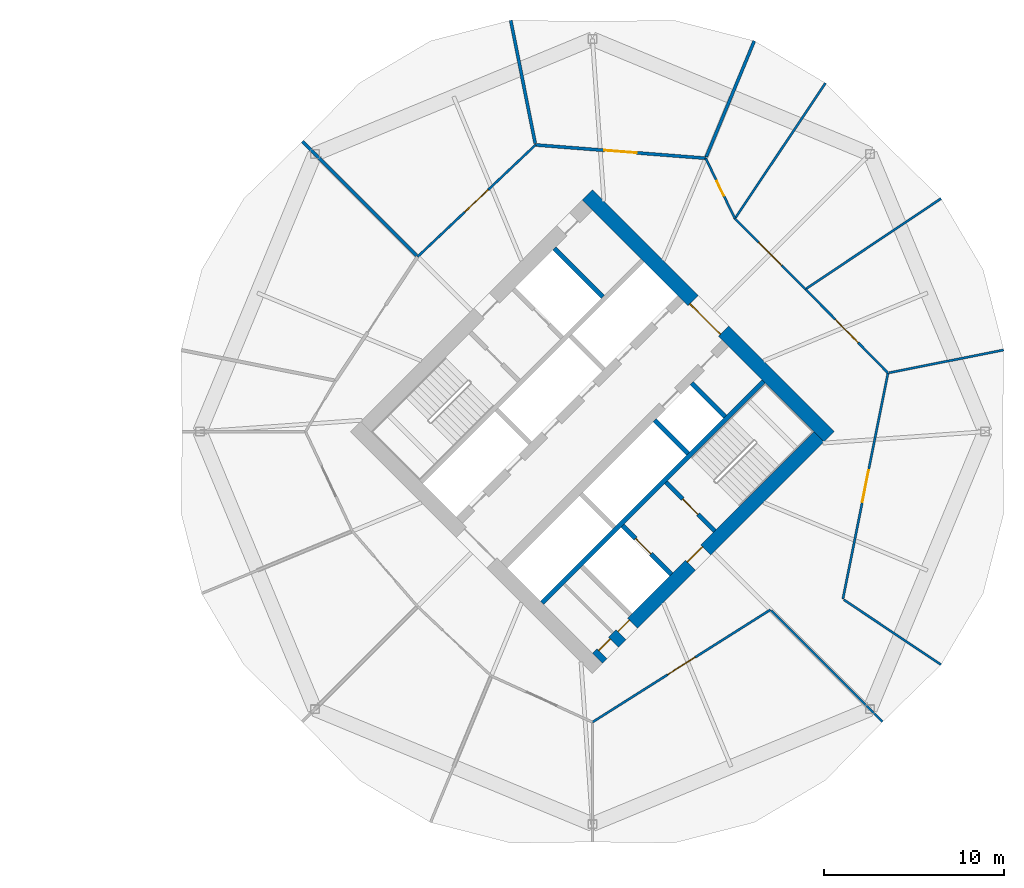
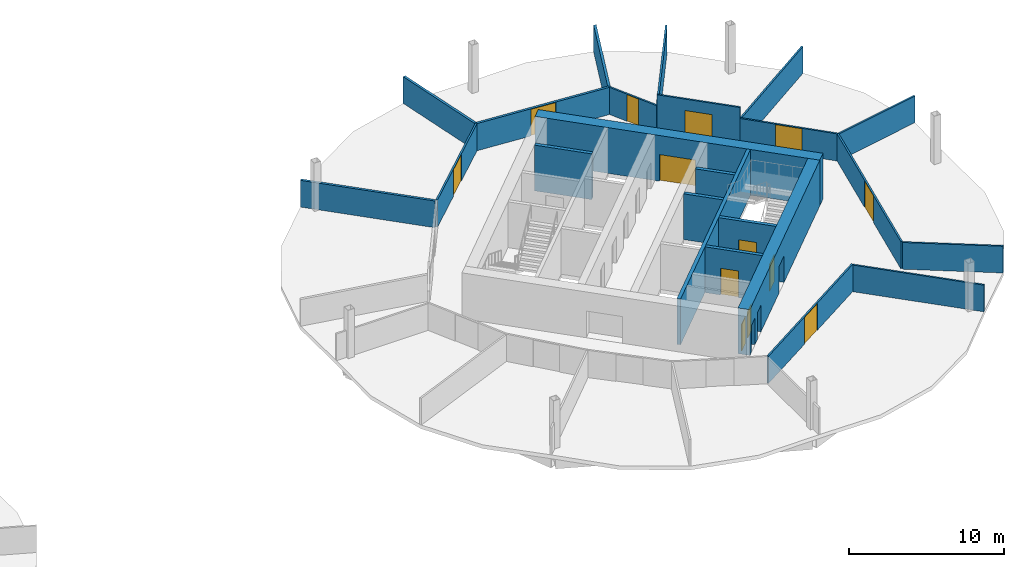
# One storey, part 7 of 9: 23 walls, 13 doors, 13 openings.
"""IFC4 building model written with IfcOpenShell, lengths in metres."""

from ifc_helpers import new_model, si_unit, direction, frame, frame_2d, origin, place, context, subcontext, project, spatial, rectangle, extrude, material, layer, layer_set, type_object, element, fill, save


model = new_model("IFC4")

# Units and contexts
model_context = context("Model", 3, precision=1e-05, world=origin(), true_north=direction((0.0, 1.0)))
body_context = subcontext(model_context, "Body", "Model", "MODEL_VIEW")
ifc_project = project(units=[si_unit("LENGTHUNIT", "METRE"), si_unit("AREAUNIT", "SQUARE_METRE"), si_unit("VOLUMEUNIT", "CUBIC_METRE"), si_unit("PLANEANGLEUNIT", "RADIAN"), si_unit("MASSUNIT", "GRAM", prefix="KILO")], contexts=[model_context])

# Site, building, storey
site_placement = place(None, origin())
site = spatial("IfcSite", under=ifc_project, at=site_placement, CompositionType="ELEMENT")
building_placement = place(site_placement, origin())
building = spatial("IfcBuilding", under=site, at=building_placement, Name="Ogive Gate Towers", CompositionType="ELEMENT")
storey_placement = place(building_placement, frame((0.0, 0.0, 48.0)))
storey = spatial("IfcBuildingStorey", under=building, at=storey_placement, Name="L10", CompositionType="ELEMENT", Elevation=48.0)

# Walls
ifc_material_1 = material(Name="Gypsum board acoustic partition")
ifc_layer_1 = layer(ifc_material_1, 0.175048828125)
ifc_layer_set_1 = layer_set([ifc_layer_1], Name="Acoustic partition 175")
wall_type_1 = type_object("IfcWallType", Name="Acoustic partition 175", PredefinedType="PARTITIONING", material=ifc_layer_set_1)
wall_1_placement = place(storey_placement, frame((44.992919921875, 21.711181640625, 0.0), z_axis=(0.0, 0.0, 1.0), x_axis=(-0.382672432362, -0.923884088785, 0.0)))
element("IfcWall", 1, at=wall_1_placement, inside=storey, type_object=wall_type_1, Name="Partition T2-L10-004", PredefinedType="PARTITIONING", context=body_context, shape_type="SweptSolid", body=[
    extrude(rectangle(XDim=6.97119140625, YDim=0.175048828125, at=frame_2d((3.485595703125, 0.0))), origin(), (0.0, 0.0, 1.0), 2.10009765625),
])
wall_2_placement = place(storey_placement, frame((31.4619140625, 22.853271484375, 0.0), z_axis=(0.0, 0.0, 1.0), x_axis=(0.194782491391, -0.980846461505, 0.0)))
element("IfcWall", 2, at=wall_2_placement, inside=storey, type_object=wall_type_1, Name="Partition T2-L10-005", PredefinedType="PARTITIONING", context=body_context, shape_type="SweptSolid", body=[
    extrude(rectangle(XDim=6.971435546875, YDim=0.175048828125, at=frame_2d((3.48583984375, 0.0))), origin(), (0.0, 0.0, 1.0), 2.10009765625),
])
wall_3_placement = place(storey_placement, frame((19.878662109375, 16.121337890625, 0.0), z_axis=(0.0, 0.0, 1.0), x_axis=(0.707106781187, -0.707106781187, 0.0)))
element("IfcWall", 3, at=wall_3_placement, inside=storey, type_object=wall_type_1, Name="Partition T2-L10-006", PredefinedType="PARTITIONING", context=body_context, shape_type="SweptSolid", body=[
    extrude(rectangle(XDim=8.971435546875, YDim=0.175048828125, at=frame_2d((4.48583984375, 0.0))), origin(), (0.0, 0.0, 1.0), 2.10009765625),
])

# Wall, opening, door
wall_4_placement = place(storey_placement, frame((42.291748046875, 15.189453125, 0.0), z_axis=(0.0, 0.0, 1.0), x_axis=(-0.996951230923, 0.078027195004, 0.0)))
wall_4 = element("IfcWall", 4, at=wall_4_placement, inside=storey, type_object=wall_type_1, Name="Partition T2-L10-019", PredefinedType="PARTITIONING", context=body_context, shape_type="SweptSolid", body=[
    extrude(rectangle(XDim=9.483642578125, YDim=0.175048828125, at=frame_2d((4.74169921875, 0.0))), origin(), (0.0, 0.0, 1.0), 2.139892578125),
])
opening_1_placement = place(wall_4_placement, frame((3.842041015625, 0.0, 0.0)))
opening_1 = element("IfcOpeningElement", 5, at=opening_1_placement, cuts=wall_4, Name="Opening T2-L10-D05", PredefinedType="OPENING", context=body_context, shape_type="SweptSolid", body=[
    extrude(rectangle(XDim=1.800048828125, YDim=2.10009765625, at=frame_2d((0.89990234375, 1.050048828125))), frame((0.0, 0.09765625, 0.0), z_axis=(0.0, -1.0, 0.0), x_axis=(1.0, 0.0, 0.0)), (0.0, 0.0, 1.0), 0.195068359375),
])
ifc_material_2 = material(Name="Timber door", Category="wood")
door_type_1 = type_object("IfcDoorType", Name="Door pair 1800", OperationType="NOTDEFINED", PredefinedType="DOOR", material=ifc_material_2)
door_1_placement = place(opening_1_placement, origin())
door_1 = element("IfcDoor", 6, at=door_1_placement, inside=storey, type_object=door_type_1, Name="Door T2-L10-D05", OperationType="DOUBLE_DOOR_DOUBLE_SWING", OverallHeight=2.10009765625, OverallWidth=1.800048828125, PredefinedType="DOOR", context=body_context, shape_type="SweptSolid", body=[
    extrude(rectangle(XDim=1.800048828125, YDim=2.10009765625, at=frame_2d((0.89990234375, 1.050048828125))), frame((0.0, 0.02490234375, 0.0), z_axis=(0.0, -1.0, 0.0), x_axis=(1.0, 0.0, 0.0)), (0.0, 0.0, 1.0), 0.050048828125),
])
fill(opening_1, door_1)

# Wall, openings, doors
ifc_material_3 = material(Name="Concrete C60/75", Category="concrete")
ifc_layer_2 = layer(ifc_material_3, 0.800048828125)
ifc_layer_set_2 = layer_set([ifc_layer_2], Name="Core wall 800 mm")
wall_type_2 = type_object("IfcWallType", Name="Core wall 800 mm", PredefinedType="SHEAR", material=ifc_layer_set_2)
wall_5_placement = place(storey_placement, frame((36.28271484375, -12.58642578125, 0.0), z_axis=(0.0, 0.0, 1.0), x_axis=(0.707106781187, 0.707106781187, 0.0)))
wall_5 = element("IfcWall", 7, at=wall_5_placement, inside=storey, type_object=wall_type_2, Name="T2 L10 Core wall 800 mm", PredefinedType="SHEAR", context=body_context, shape_type="SweptSolid", body=[
    extrude(rectangle(XDim=17.400146484375, YDim=0.800048828125, at=frame_2d((8.7001953125, 0.0))), origin(), (0.0, 0.0, 1.0), 3.60009765625),
])
opening_2_placement = place(wall_5_placement, frame((7.300048828125, 0.0, 0.0)))
opening_2 = element("IfcOpeningElement", 8, at=opening_2_placement, cuts=wall_5, Name="Opening KD-T2-L10-16", PredefinedType="OPENING", context=body_context, shape_type="SweptSolid", body=[
    extrude(rectangle(XDim=1.199951171875, YDim=2.10009765625, at=frame_2d((0.60009765625, 1.050048828125))), frame((0.0, 0.41015625, 0.0), z_axis=(0.0, -1.0, 0.0), x_axis=(1.0, 0.0, 0.0)), (0.0, 0.0, 1.0), 0.820068359375),
])
opening_3_placement = place(wall_5_placement, frame((0.35009765625, 0.0, 0.0)))
opening_3 = element("IfcOpeningElement", 9, at=opening_3_placement, cuts=wall_5, Name="Opening KD-T2-L10-18", PredefinedType="OPENING", context=body_context, shape_type="SweptSolid", body=[
    extrude(rectangle(XDim=0.89990234375, YDim=2.10009765625, at=frame_2d((0.449951171875, 1.050048828125))), frame((0.0, 0.41015625, 0.0), z_axis=(0.0, -1.0, 0.0), x_axis=(1.0, 0.0, 0.0)), (0.0, 0.0, 1.0), 0.820068359375),
])
opening_4_placement = place(wall_5_placement, frame((1.85009765625, 0.0, 0.0)))
opening_4 = element("IfcOpeningElement", 10, at=opening_4_placement, cuts=wall_5, Name="Opening KD-T2-L10-19", PredefinedType="OPENING", context=body_context, shape_type="SweptSolid", body=[
    extrude(rectangle(XDim=0.89990234375, YDim=2.10009765625, at=frame_2d((0.449951171875, 1.050048828125))), frame((0.0, 0.41015625, 0.0), z_axis=(0.0, -1.0, 0.0), x_axis=(1.0, 0.0, 0.0)), (0.0, 0.0, 1.0), 0.820068359375),
])
door_type_2 = type_object("IfcDoorType", Name="Core WC door 900 x 2100", OperationType="NOTDEFINED", PredefinedType="DOOR", material=ifc_material_2)
door_2_placement = place(opening_3_placement, origin())
door_2 = element("IfcDoor", 11, at=door_2_placement, inside=storey, type_object=door_type_2, Name="T2 L10 Core door", OperationType="SINGLE_SWING_LEFT", OverallHeight=2.10009765625, OverallWidth=0.89990234375, PredefinedType="DOOR", context=body_context, shape_type="SweptSolid", body=[
    extrude(rectangle(XDim=0.89990234375, YDim=2.10009765625, at=frame_2d((0.449951171875, 1.050048828125))), frame((0.0, 0.27490234375, 0.0), z_axis=(0.0, -1.0, 0.0), x_axis=(1.0, 0.0, 0.0)), (0.0, 0.0, 1.0), 0.050048828125),
])
fill(opening_3, door_2)
door_3_placement = place(opening_4_placement, origin())
door_3 = element("IfcDoor", 12, at=door_3_placement, inside=storey, type_object=door_type_2, Name="T2 L10 Core door", OperationType="SINGLE_SWING_RIGHT", OverallHeight=2.10009765625, OverallWidth=0.89990234375, PredefinedType="DOOR", context=body_context, shape_type="SweptSolid", body=[
    extrude(rectangle(XDim=0.89990234375, YDim=2.10009765625, at=frame_2d((0.449951171875, 1.050048828125))), frame((0.0, 0.27490234375, 0.0), z_axis=(0.0, -1.0, 0.0), x_axis=(1.0, 0.0, 0.0)), (0.0, 0.0, 1.0), 0.050048828125),
])
fill(opening_4, door_3)
ifc_material_4 = material(Name="Steel fire door", Category="steel")
door_type_3 = type_object("IfcDoorType", Name="Core door FD60S 1200 x 2100", OperationType="NOTDEFINED", PredefinedType="DOOR", material=ifc_material_4)
door_4_placement = place(opening_2_placement, origin())
door_4 = element("IfcDoor", 13, at=door_4_placement, inside=storey, type_object=door_type_3, Name="T2 L10 Fire-fighting lobby door", OperationType="SINGLE_SWING_LEFT", OverallHeight=2.10009765625, OverallWidth=1.199951171875, PredefinedType="DOOR", context=body_context, shape_type="SweptSolid", body=[
    extrude(rectangle(XDim=1.199951171875, YDim=2.10009765625, at=frame_2d((0.60009765625, 1.050048828125))), frame((0.0, 0.27490234375, 0.0), z_axis=(0.0, -1.0, 0.0), x_axis=(1.0, 0.0, 0.0)), (0.0, 0.0, 1.0), 0.050048828125),
])
fill(opening_2, door_4)

# Wall, opening, door
wall_6_placement = place(storey_placement, frame((49.152099609375, -0.28271484375, 0.0), z_axis=(0.0, 0.0, 1.0), x_axis=(-0.707106781187, 0.707106781187, 0.0)))
wall_6 = element("IfcWall", 14, at=wall_6_placement, inside=storey, type_object=wall_type_2, Name="T2 L10 Core wall 800 mm", PredefinedType="SHEAR", context=body_context, shape_type="SweptSolid", body=[
    extrude(rectangle(XDim=18.999755859375, YDim=0.800048828125, at=frame_2d((9.5, 0.0))), origin(), (0.0, 0.0, 1.0), 3.60009765625),
])
opening_5_placement = place(wall_6_placement, frame((8.300048828125, 0.0, 0.0)))
opening_5 = element("IfcOpeningElement", 15, at=opening_5_placement, cuts=wall_6, Name="Opening KD-T2-L10-02", PredefinedType="OPENING", context=body_context, shape_type="SweptSolid", body=[
    extrude(rectangle(XDim=2.39990234375, YDim=2.10009765625, at=frame_2d((1.199951171875, 1.050048828125))), frame((0.0, 0.41015625, 0.0), z_axis=(0.0, -1.0, 0.0), x_axis=(1.0, 0.0, 0.0)), (0.0, 0.0, 1.0), 0.820068359375),
])
door_type_4 = type_object("IfcDoorType", Name="Core double door FD60S 2400 x 2100", OperationType="DOUBLE_DOOR_SINGLE_SWING", PredefinedType="DOOR", material=ifc_material_4)
door_5_placement = place(opening_5_placement, origin())
door_5 = element("IfcDoor", 16, at=door_5_placement, inside=storey, type_object=door_type_4, Name="T2 L10 Core door double", OperationType="DOUBLE_DOOR_SINGLE_SWING", OverallHeight=2.10009765625, OverallWidth=2.39990234375, PredefinedType="DOOR", context=body_context, shape_type="SweptSolid", body=[
    extrude(rectangle(XDim=2.39990234375, YDim=2.10009765625, at=frame_2d((1.199951171875, 1.050048828125))), frame((0.0, 0.27490234375, 0.0), z_axis=(0.0, -1.0, 0.0), x_axis=(1.0, 0.0, 0.0)), (0.0, 0.0, 1.0), 0.050048828125),
])
fill(opening_5, door_5)

# Walls
ifc_material_5 = material(Name="Gypsum board partition")
ifc_layer_3 = layer(ifc_material_5, 0.125)
ifc_layer_set_3 = layer_set([ifc_layer_3], Name="Partition 125")
wall_type_3 = type_object("IfcWallType", Name="Partition 125", PredefinedType="PARTITIONING", material=ifc_layer_set_3)
wall_7_placement = place(storey_placement, frame((58.853271484375, 4.5380859375, 0.0), z_axis=(0.0, 0.0, 1.0), x_axis=(-0.980847162867, -0.194778959584, 0.0)))
element("IfcWall", 17, at=wall_7_placement, inside=storey, type_object=wall_type_3, Name="Partition T2-L10-001", PredefinedType="PARTITIONING", context=body_context, shape_type="SweptSolid", body=[
    extrude(rectangle(XDim=6.49658203125, YDim=0.125, at=frame_2d((3.248291015625, 0.0))), origin(), (0.0, 0.0, 1.0), 2.10009765625),
])
for number, where, z_axis, x_axis, name in (
    (18, (55.36865234375, 12.950927734375, 0.0), (0.0, 0.0, 1.0), (-0.831285496236, -0.555845683394, 0.0), "Partition T2-L10-002"),
    (19, (48.950927734375, 19.36865234375, 0.0), (0.0, 0.0, 1.0), (-0.555845683394, -0.831285496236, 0.0), "Partition T2-L10-003"),
):
    element("IfcWall", number, at=place(storey_placement, frame(where, z_axis=z_axis, x_axis=x_axis)), inside=storey, type_object=wall_type_3, Name=name, PredefinedType="PARTITIONING", context=body_context, shape_type="SweptSolid", body=[
        extrude(rectangle(XDim=8.99658203125, YDim=0.125, at=frame_2d((4.498291015625, 0.0))), origin(), (0.0, 0.0, 1.0), 2.10009765625),
    ])
wall_8_placement = place(storey_placement, frame((52.121337890625, -16.121337890625, 0.0), z_axis=(0.0, 0.0, 1.0), x_axis=(-0.707106781187, 0.707106781187, 0.0)))
element("IfcWall", 20, at=wall_8_placement, inside=storey, type_object=wall_type_3, Name="Partition T2-L10-013", PredefinedType="PARTITIONING", context=body_context, shape_type="SweptSolid", body=[
    extrude(rectangle(XDim=8.74658203125, YDim=0.125, at=frame_2d((4.373291015625, 0.0))), origin(), (0.0, 0.0, 1.0), 2.10009765625),
])
wall_9_placement = place(storey_placement, frame((55.36865234375, -12.950927734375, 0.0), z_axis=(0.0, 0.0, 1.0), x_axis=(-0.831280540128, 0.555853095345, 0.0)))
element("IfcWall", 21, at=wall_9_placement, inside=storey, type_object=wall_type_3, Name="Partition T2-L10-014", PredefinedType="PARTITIONING", context=body_context, shape_type="SweptSolid", body=[
    extrude(rectangle(XDim=6.49658203125, YDim=0.125, at=frame_2d((3.248291015625, 0.0))), origin(), (0.0, 0.0, 1.0), 2.10009765625),
])

# Wall, opening, door
wall_10_placement = place(storey_placement, frame((49.916259765625, -9.30517578125, 0.0), z_axis=(0.0, 0.0, 1.0), x_axis=(0.195405199442, 0.980722594841, 0.0)))
wall_10 = element("IfcWall", 22, at=wall_10_placement, inside=storey, type_object=wall_type_3, Name="Partition T2-L10-015", PredefinedType="PARTITIONING", context=body_context, shape_type="SweptSolid", body=[
    extrude(rectangle(XDim=12.812744140625, YDim=0.125, at=frame_2d((6.40625, 0.0))), origin(), (0.0, 0.0, 1.0), 2.139892578125),
])
opening_6_placement = place(wall_10_placement, frame((5.506103515625, 0.0, 0.0)))
opening_6 = element("IfcOpeningElement", 23, at=opening_6_placement, cuts=wall_10, Name="Opening T2-L10-D01", PredefinedType="OPENING", context=body_context, shape_type="SweptSolid", body=[
    extrude(rectangle(XDim=1.800048828125, YDim=2.10009765625, at=frame_2d((0.89990234375, 1.050048828125))), frame((0.0, 0.072509765625, 0.0), z_axis=(0.0, -1.0, 0.0), x_axis=(1.0, 0.0, 0.0)), (0.0, 0.0, 1.0), 0.14501953125),
])
door_6_placement = place(opening_6_placement, origin())
door_6 = element("IfcDoor", 24, at=door_6_placement, inside=storey, type_object=door_type_1, Name="Door T2-L10-D01", OperationType="DOUBLE_DOOR_DOUBLE_SWING", OverallHeight=2.10009765625, OverallWidth=1.800048828125, PredefinedType="DOOR", context=body_context, shape_type="SweptSolid", body=[
    extrude(rectangle(XDim=1.800048828125, YDim=2.10009765625, at=frame_2d((0.89990234375, 1.050048828125))), frame((0.0, 0.02490234375, 0.0), z_axis=(0.0, -1.0, 0.0), x_axis=(1.0, 0.0, 0.0)), (0.0, 0.0, 1.0), 0.050048828125),
])
fill(opening_6, door_6)

wall_11_placement = place(storey_placement, frame((52.419921875, 3.260498046875, 0.0), z_axis=(0.0, 0.0, 1.0), x_axis=(-0.701496798252, 0.712672605087, 0.0)))
wall_11 = element("IfcWall", 25, at=wall_11_placement, inside=storey, type_object=wall_type_3, Name="Partition T2-L10-016", PredefinedType="PARTITIONING", context=body_context, shape_type="SweptSolid", body=[
    extrude(rectangle(XDim=6.53173828125, YDim=0.125, at=frame_2d((3.265869140625, 0.0))), origin(), (0.0, 0.0, 1.0), 2.139892578125),
])
opening_7_placement = place(wall_11_placement, frame((2.365966796875, 0.0, 0.0)))
opening_7 = element("IfcOpeningElement", 26, at=opening_7_placement, cuts=wall_11, Name="Opening T2-L10-D02", PredefinedType="OPENING", context=body_context, shape_type="SweptSolid", body=[
    extrude(rectangle(XDim=1.800048828125, YDim=2.10009765625, at=frame_2d((0.89990234375, 1.050048828125))), frame((0.0, 0.072509765625, 0.0), z_axis=(0.0, -1.0, 0.0), x_axis=(1.0, 0.0, 0.0)), (0.0, 0.0, 1.0), 0.14501953125),
])
door_7_placement = place(opening_7_placement, origin())
door_7 = element("IfcDoor", 27, at=door_7_placement, inside=storey, type_object=door_type_1, Name="Door T2-L10-D02", OperationType="DOUBLE_DOOR_DOUBLE_SWING", OverallHeight=2.10009765625, OverallWidth=1.800048828125, PredefinedType="DOOR", context=body_context, shape_type="SweptSolid", body=[
    extrude(rectangle(XDim=1.800048828125, YDim=2.10009765625, at=frame_2d((0.89990234375, 1.050048828125))), frame((0.0, 0.02490234375, 0.0), z_axis=(0.0, -1.0, 0.0), x_axis=(1.0, 0.0, 0.0)), (0.0, 0.0, 1.0), 0.050048828125),
])
fill(opening_7, door_7)

wall_12_placement = place(storey_placement, frame((47.837890625, 7.91552734375, 0.0), z_axis=(0.0, 0.0, 1.0), x_axis=(-0.707106781187, 0.707106781187, 0.0)))
wall_12 = element("IfcWall", 28, at=wall_12_placement, inside=storey, type_object=wall_type_3, Name="Partition T2-L10-017", PredefinedType="PARTITIONING", context=body_context, shape_type="SweptSolid", body=[
    extrude(rectangle(XDim=5.547119140625, YDim=0.125, at=frame_2d((2.7734375, 0.0))), origin(), (0.0, 0.0, 1.0), 3.0),
])
opening_8_placement = place(wall_12_placement, frame((1.8740234375, 0.0, 0.0)))
opening_8 = element("IfcOpeningElement", 29, at=opening_8_placement, cuts=wall_12, Name="Opening T2-L10-D03", PredefinedType="OPENING", context=body_context, shape_type="SweptSolid", body=[
    extrude(rectangle(XDim=1.800048828125, YDim=2.10009765625, at=frame_2d((0.89990234375, 1.050048828125))), frame((0.0, 0.072509765625, 0.0), z_axis=(0.0, -1.0, 0.0), x_axis=(1.0, 0.0, 0.0)), (0.0, 0.0, 1.0), 0.14501953125),
])
door_8_placement = place(opening_8_placement, origin())
door_8 = element("IfcDoor", 30, at=door_8_placement, inside=storey, type_object=door_type_1, Name="Door T2-L10-D03", OperationType="DOUBLE_DOOR_DOUBLE_SWING", OverallHeight=2.10009765625, OverallWidth=1.800048828125, PredefinedType="DOOR", context=body_context, shape_type="SweptSolid", body=[
    extrude(rectangle(XDim=1.800048828125, YDim=2.10009765625, at=frame_2d((0.89990234375, 1.050048828125))), frame((0.0, 0.02490234375, 0.0), z_axis=(0.0, -1.0, 0.0), x_axis=(1.0, 0.0, 0.0)), (0.0, 0.0, 1.0), 0.050048828125),
])
fill(opening_8, door_8)

wall_13_placement = place(storey_placement, frame((43.91552734375, 11.837890625, 0.0), z_axis=(0.0, 0.0, 1.0), x_axis=(-0.436008098367, 0.8999427416, 0.0)))
wall_13 = element("IfcWall", 31, at=wall_13_placement, inside=storey, type_object=wall_type_3, Name="Partition T2-L10-018", PredefinedType="PARTITIONING", context=body_context, shape_type="SweptSolid", body=[
    extrude(rectangle(XDim=3.72412109375, YDim=0.125, at=frame_2d((1.862060546875, 0.0))), origin(), (0.0, 0.0, 1.0), 2.139892578125),
])
opening_9_placement = place(wall_13_placement, frame((1.412109375, 0.0, 0.0)))
opening_9 = element("IfcOpeningElement", 32, at=opening_9_placement, cuts=wall_13, Name="Opening T2-L10-D04", PredefinedType="OPENING", context=body_context, shape_type="SweptSolid", body=[
    extrude(rectangle(XDim=0.89990234375, YDim=2.10009765625, at=frame_2d((0.449951171875, 1.050048828125))), frame((0.0, 0.072509765625, 0.0), z_axis=(0.0, -1.0, 0.0), x_axis=(1.0, 0.0, 0.0)), (0.0, 0.0, 1.0), 0.14501953125),
])
door_type_5 = type_object("IfcDoorType", Name="Door 900", OperationType="NOTDEFINED", PredefinedType="DOOR", material=ifc_material_2)
door_9_placement = place(opening_9_placement, origin())
door_9 = element("IfcDoor", 33, at=door_9_placement, inside=storey, type_object=door_type_5, Name="Door T2-L10-D04", OperationType="SINGLE_SWING_RIGHT", OverallHeight=2.10009765625, OverallWidth=0.89990234375, PredefinedType="DOOR", context=body_context, shape_type="SweptSolid", body=[
    extrude(rectangle(XDim=0.89990234375, YDim=2.10009765625, at=frame_2d((0.449951171875, 1.050048828125))), frame((0.0, 0.02490234375, 0.0), z_axis=(0.0, -1.0, 0.0), x_axis=(1.0, 0.0, 0.0)), (0.0, 0.0, 1.0), 0.050048828125),
])
fill(opening_9, door_9)

wall_14_placement = place(storey_placement, frame((32.8369140625, 15.929443359375, 0.0), z_axis=(0.0, 0.0, 1.0), x_axis=(-0.725607326649, -0.688109008453, 0.0)))
wall_14 = element("IfcWall", 34, at=wall_14_placement, inside=storey, type_object=wall_type_3, Name="Partition T2-L10-020", PredefinedType="PARTITIONING", context=body_context, shape_type="SweptSolid", body=[
    extrude(rectangle(XDim=9.0302734375, YDim=0.125, at=frame_2d((4.51513671875, 0.0))), origin(), (0.0, 0.0, 1.0), 2.139892578125),
])
opening_10_placement = place(wall_14_placement, frame((3.614990234375, 0.0, 0.0)))
opening_10 = element("IfcOpeningElement", 35, at=opening_10_placement, cuts=wall_14, Name="Opening T2-L10-D06", PredefinedType="OPENING", context=body_context, shape_type="SweptSolid", body=[
    extrude(rectangle(XDim=1.800048828125, YDim=2.10009765625, at=frame_2d((0.89990234375, 1.050048828125))), frame((0.0, 0.072509765625, 0.0), z_axis=(0.0, -1.0, 0.0), x_axis=(1.0, 0.0, 0.0)), (0.0, 0.0, 1.0), 0.14501953125),
])
door_10_placement = place(opening_10_placement, origin())
door_10 = element("IfcDoor", 36, at=door_10_placement, inside=storey, type_object=door_type_1, Name="Door T2-L10-D06", OperationType="DOUBLE_DOOR_DOUBLE_SWING", OverallHeight=2.10009765625, OverallWidth=1.800048828125, PredefinedType="DOOR", context=body_context, shape_type="SweptSolid", body=[
    extrude(rectangle(XDim=1.800048828125, YDim=2.10009765625, at=frame_2d((0.89990234375, 1.050048828125))), frame((0.0, 0.02490234375, 0.0), z_axis=(0.0, -1.0, 0.0), x_axis=(1.0, 0.0, 0.0)), (0.0, 0.0, 1.0), 0.050048828125),
])
fill(opening_10, door_10)

wall_15_placement = place(storey_placement, frame((36.0, -16.139892578125, 0.0), z_axis=(0.0, 0.0, 1.0), x_axis=(0.845497828076, 0.533978859805, 0.0)))
wall_15 = element("IfcWall", 37, at=wall_15_placement, inside=storey, type_object=wall_type_3, Name="Partition T2-L10-027", PredefinedType="PARTITIONING", context=body_context, shape_type="SweptSolid", body=[
    extrude(rectangle(XDim=11.699951171875, YDim=0.125, at=frame_2d((5.85009765625, 0.0))), origin(), (0.0, 0.0, 1.0), 2.139892578125),
])
opening_11_placement = place(wall_15_placement, frame((4.949951171875, 0.0, 0.0)))
opening_11 = element("IfcOpeningElement", 38, at=opening_11_placement, cuts=wall_15, Name="Opening T2-L10-D13", PredefinedType="OPENING", context=body_context, shape_type="SweptSolid", body=[
    extrude(rectangle(XDim=1.800048828125, YDim=2.10009765625, at=frame_2d((0.89990234375, 1.050048828125))), frame((0.0, 0.072509765625, 0.0), z_axis=(0.0, -1.0, 0.0), x_axis=(1.0, 0.0, 0.0)), (0.0, 0.0, 1.0), 0.14501953125),
])
door_11_placement = place(opening_11_placement, origin())
door_11 = element("IfcDoor", 39, at=door_11_placement, inside=storey, type_object=door_type_1, Name="Door T2-L10-D13", OperationType="DOUBLE_DOOR_DOUBLE_SWING", OverallHeight=2.10009765625, OverallWidth=1.800048828125, PredefinedType="DOOR", context=body_context, shape_type="SweptSolid", body=[
    extrude(rectangle(XDim=1.800048828125, YDim=2.10009765625, at=frame_2d((0.89990234375, 1.050048828125))), frame((0.0, 0.02490234375, 0.0), z_axis=(0.0, -1.0, 0.0), x_axis=(1.0, 0.0, 0.0)), (0.0, 0.0, 1.0), 0.050048828125),
])
fill(opening_11, door_11)

# Wall
ifc_layer_4 = layer(ifc_material_3, 0.25)
ifc_layer_set_4 = layer_set([ifc_layer_4], Name="Shaft wall 250 mm")
wall_type_4 = type_object("IfcWallType", Name="Shaft wall 250 mm", PredefinedType="SHEAR", material=ifc_layer_set_4)
wall_16_placement = place(storey_placement, frame((33.206787109375, -9.510498046875, 0.0), z_axis=(0.0, 0.0, 1.0), x_axis=(0.707106781187, 0.707106781187, 0.0)))
element("IfcWall", 40, at=wall_16_placement, inside=storey, type_object=wall_type_4, Name="T2 L10 Shaft wall 250 mm", PredefinedType="SHEAR", context=body_context, shape_type="SweptSolid", body=[
    extrude(rectangle(XDim=17.400146484375, YDim=0.25, at=frame_2d((8.7001953125, 0.0))), origin(), (0.0, 0.0, 1.0), 3.60009765625),
])

# Wall, opening, door
wall_17_placement = place(storey_placement, frame((40.384033203125, -7.919677734375, 0.0), z_axis=(0.0, 0.0, 1.0), x_axis=(-0.707074866995, 0.707138693938, 0.0)))
wall_17 = element("IfcWall", 41, at=wall_17_placement, inside=storey, type_object=wall_type_4, Name="T2 L10 Shaft wall 250 mm", PredefinedType="SHEAR", context=body_context, shape_type="SweptSolid", body=[
    extrude(rectangle(XDim=3.824951171875, YDim=0.25, at=frame_2d((1.91259765625, 0.0))), origin(), (0.0, 0.0, 1.0), 3.60009765625),
])
opening_12_placement = place(wall_17_placement, frame((1.60009765625, 0.0, 0.0)))
opening_12 = element("IfcOpeningElement", 42, at=opening_12_placement, cuts=wall_17, Name="Opening LD-T2-L10-11", PredefinedType="OPENING", context=body_context, shape_type="SweptSolid", body=[
    extrude(rectangle(XDim=1.199951171875, YDim=2.10009765625, at=frame_2d((0.60009765625, 1.050048828125))), frame((0.0, 0.135009765625, 0.0), z_axis=(0.0, -1.0, 0.0), x_axis=(1.0, 0.0, 0.0)), (0.0, 0.0, 1.0), 0.27001953125),
])
ifc_material_6 = material(Name="Stainless steel landing door", Category="steel")
door_type_6 = type_object("IfcDoorType", Name="Landing door 1200 x 2100", OperationType="SLIDING_TO_LEFT", PredefinedType="DOOR", material=ifc_material_6)
door_12_placement = place(opening_12_placement, origin())
door_12 = element("IfcDoor", 43, at=door_12_placement, inside=storey, type_object=door_type_6, Name="T2 L10 Lift landing door FF2", OperationType="SLIDING_TO_LEFT", OverallHeight=2.10009765625, OverallWidth=1.199951171875, PredefinedType="DOOR", context=body_context, shape_type="SweptSolid", body=[
    extrude(rectangle(XDim=1.199951171875, YDim=2.10009765625, at=frame_2d((0.60009765625, 1.050048828125))), frame((0.0, 0.02490234375, 0.0), z_axis=(0.0, -1.0, 0.0), x_axis=(1.0, 0.0, 0.0)), (0.0, 0.0, 1.0), 0.050048828125),
])
fill(opening_12, door_12)

wall_18_placement = place(storey_placement, frame((42.7880859375, -5.515380859375, 0.0), z_axis=(0.0, 0.0, 1.0), x_axis=(-0.707106781187, 0.707106781187, 0.0)))
wall_18 = element("IfcWall", 44, at=wall_18_placement, inside=storey, type_object=wall_type_4, Name="T2 L10 Shaft wall 250 mm", PredefinedType="SHEAR", context=body_context, shape_type="SweptSolid", body=[
    extrude(rectangle(XDim=3.824951171875, YDim=0.25, at=frame_2d((1.91259765625, 0.0))), origin(), (0.0, 0.0, 1.0), 3.60009765625),
])
opening_13_placement = place(wall_18_placement, frame((1.300048828125, 0.0, 0.0)))
opening_13 = element("IfcOpeningElement", 45, at=opening_13_placement, cuts=wall_18, Name="Opening KD-T2-L10-14", PredefinedType="OPENING", context=body_context, shape_type="SweptSolid", body=[
    extrude(rectangle(XDim=1.199951171875, YDim=2.10009765625, at=frame_2d((0.60009765625, 1.050048828125))), frame((0.0, 0.135009765625, 0.0), z_axis=(0.0, -1.0, 0.0), x_axis=(1.0, 0.0, 0.0)), (0.0, 0.0, 1.0), 0.27001953125),
])
door_13_placement = place(opening_13_placement, origin())
door_13 = element("IfcDoor", 46, at=door_13_placement, inside=storey, type_object=door_type_3, Name="T2 L10 Stair door", OperationType="SINGLE_SWING_LEFT", OverallHeight=2.10009765625, OverallWidth=1.199951171875, PredefinedType="DOOR", context=body_context, shape_type="SweptSolid", body=[
    extrude(rectangle(XDim=1.199951171875, YDim=2.10009765625, at=frame_2d((0.60009765625, 1.050048828125))), frame((0.0, 0.02490234375, 0.0), z_axis=(0.0, -1.0, 0.0), x_axis=(1.0, 0.0, 0.0)), (0.0, 0.0, 1.0), 0.050048828125),
])
fill(opening_13, door_13)

# Walls
wall_19_placement = place(storey_placement, frame((41.321044921875, -1.2197265625, 0.0), z_axis=(0.0, 0.0, 1.0), x_axis=(-0.707106781187, 0.707106781187, 0.0)))
element("IfcWall", 47, at=wall_19_placement, inside=storey, type_object=wall_type_4, Name="T2 L10 Shaft wall 250 mm", PredefinedType="SHEAR", context=body_context, shape_type="SweptSolid", body=[
    extrude(rectangle(XDim=2.625, YDim=0.25, at=frame_2d((1.3125, 0.0))), origin(), (0.0, 0.0, 1.0), 3.60009765625),
])
wall_20_placement = place(storey_placement, frame((36.58349609375, 7.477783203125, 0.0), z_axis=(0.0, 0.0, 1.0), x_axis=(-0.707138693938, 0.707074866995, 0.0)))
element("IfcWall", 48, at=wall_20_placement, inside=storey, type_object=wall_type_4, Name="T2 L10 Shaft wall 250 mm", PredefinedType="SHEAR", context=body_context, shape_type="SweptSolid", body=[
    extrude(rectangle(XDim=3.824951171875, YDim=0.25, at=frame_2d((1.91259765625, 0.0))), origin(), (0.0, 0.0, 1.0), 3.60009765625),
])
wall_21_placement = place(storey_placement, frame((43.37158203125, 0.830810546875, 0.0), z_axis=(0.0, 0.0, 1.0), x_axis=(-0.707106781187, 0.707106781187, 0.0)))
element("IfcWall", 49, at=wall_21_placement, inside=storey, type_object=wall_type_4, Name="T2 L10 Shaft wall 250 mm", PredefinedType="SHEAR", context=body_context, shape_type="SweptSolid", body=[
    extrude(rectangle(XDim=2.625, YDim=0.25, at=frame_2d((1.3125, 0.0))), origin(), (0.0, 0.0, 1.0), 3.60009765625),
])

save(model, "model.ifc")
